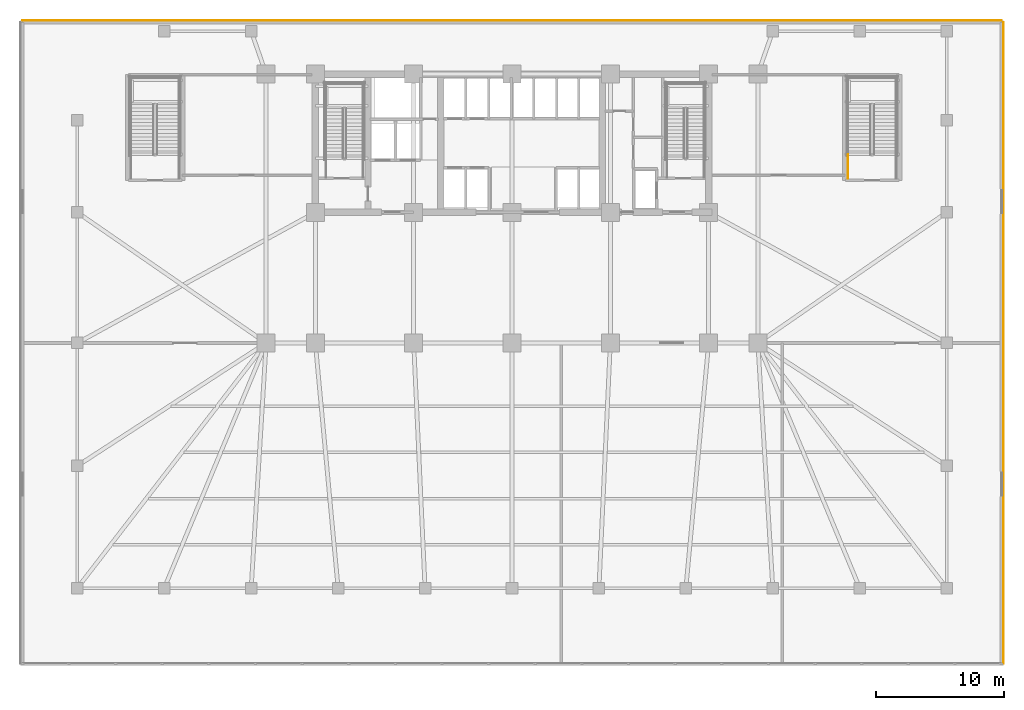
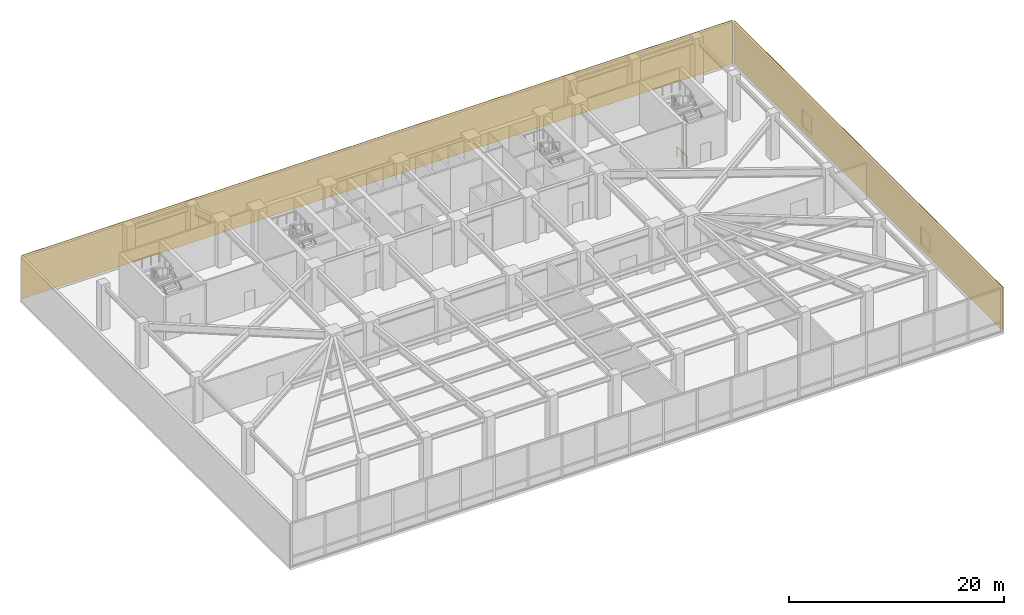
# One storey, part 18 of 19: 2 coverings, 1 railing.
"""IFC4 building model written with IfcOpenShell, lengths in metres."""

from ifc_helpers import new_model, si_unit, direction, frame, frame_2d, origin, origin_2d, place, context, subcontext, project, spatial, rectangle, circle, extrude, material, layer, layer_set, type_object, element, save


model = new_model("IFC4")

# Units and contexts
model_context = context("Model", 3, precision=1e-05, world=origin(), true_north=direction((0.0, 1.0)))
body_context = subcontext(model_context, "Body", "Model", "MODEL_VIEW")
ifc_project = project(units=[si_unit("LENGTHUNIT", "METRE"), si_unit("AREAUNIT", "SQUARE_METRE"), si_unit("VOLUMEUNIT", "CUBIC_METRE"), si_unit("PLANEANGLEUNIT", "RADIAN"), si_unit("MASSUNIT", "GRAM", prefix="KILO")], contexts=[model_context])

# Site, building, storey
site_placement = place(None, origin())
site = spatial("IfcSite", under=ifc_project, at=site_placement, CompositionType="ELEMENT")
building_placement = place(site_placement, origin())
building = spatial("IfcBuilding", under=site, at=building_placement, Name="Yelkora Congress Tower", CompositionType="ELEMENT")
storey_placement = place(building_placement, frame((0.0, 0.0, 5.199951171875)))
storey = spatial("IfcBuildingStorey", under=building, at=storey_placement, Name="L01", CompositionType="ELEMENT", Elevation=5.199951171875)

# Coverings
ifc_material_1 = material(Name="Anatolian honed limestone ashlar", Category="masonry")
ifc_layer_1 = layer(ifc_material_1, 0.050048828125)
ifc_layer_set_1 = layer_set([ifc_layer_1], Name="Anatolian honed limestone ashlar")
covering_type = type_object("IfcCoveringType", Name="COV-CLAD-LIMESTONE-50", PredefinedType="CLADDING", material=ifc_layer_set_1)
covering_1_placement = place(storey_placement, frame((0.159912109375, 50.39990234375, 0.0), z_axis=(0.0, 0.0, 1.0), x_axis=(1.0, 0.0, 0.0)))
element("IfcCovering", 1, at=covering_1_placement, inside=storey, type_object=covering_type, Name="L01 Anatolian Limestone Cladding EW-L01-E02", PredefinedType="CLADDING", context=body_context, shape_type="SweptSolid", body=[
    extrude(rectangle(XDim=76.47998046875, YDim=0.050048828125, at=frame_2d((38.239990234375, 0.0))), origin(), (0.0, 0.0, 1.0), 4.93994140625),
])
covering_2_placement = place(storey_placement, frame((76.800048828125, 50.239990234375, 0.0), z_axis=(0.0, 0.0, 1.0), x_axis=(0.0, -1.0, 0.0)))
element("IfcCovering", 2, at=covering_2_placement, inside=storey, type_object=covering_type, Name="L01 Anatolian Limestone Cladding EW-L01-E03", PredefinedType="CLADDING", context=body_context, shape_type="SweptSolid", body=[
    extrude(rectangle(XDim=50.080078125, YDim=0.050048828125, at=frame_2d((25.0400390625, 0.0))), origin(), (0.0, 0.0, 1.0), 4.93994140625),
])

# Railing
ifc_material_2 = material(Name="Painted galvanised steel stair well guard with vertical infill", Category="steel")
ifc_layer_2 = layer(ifc_material_2, 0.06005859375)
ifc_layer_set_2 = layer_set([ifc_layer_2], Name="Painted galvanised steel stair well guard with vertical infill")
railing_type = type_object("IfcRailingType", Name="RAIL-STAIR-GUARD-1120", PredefinedType="GUARDRAIL", material=ifc_layer_set_2)
railing_placement = place(storey_placement, frame((64.64990234375, 38.050048828125, 0.0)))
element("IfcRailing", 3, at=railing_placement, inside=storey, type_object=railing_type, Name="ST-P2 L01 Stair Well Guardrail 9", PredefinedType="GUARDRAIL", context=body_context, shape_type="SweptSolid", body=[
    extrude(circle(Radius=0.02392578125, at=origin_2d()), frame((0.0, 0.0, 1.09619140625), z_axis=(0.0, 1.0, 0.0), x_axis=(-1.0, 0.0, 0.0)), (0.0, 0.0, 1.0), 1.849853515625),
    extrude(circle(Radius=0.02099609375, at=origin_2d()), origin(), (0.0, 0.0, 1.0), 1.072021484375),
    extrude(circle(Radius=0.02099609375, at=origin_2d()), frame((0.0, 0.9248046875, 0.0)), (0.0, 0.0, 1.0), 1.072021484375),
    extrude(circle(Radius=0.02099609375, at=origin_2d()), frame((0.0, 1.849853515625, 0.0)), (0.0, 0.0, 1.0), 1.072021484375),
])

save(model, "model.ifc")
